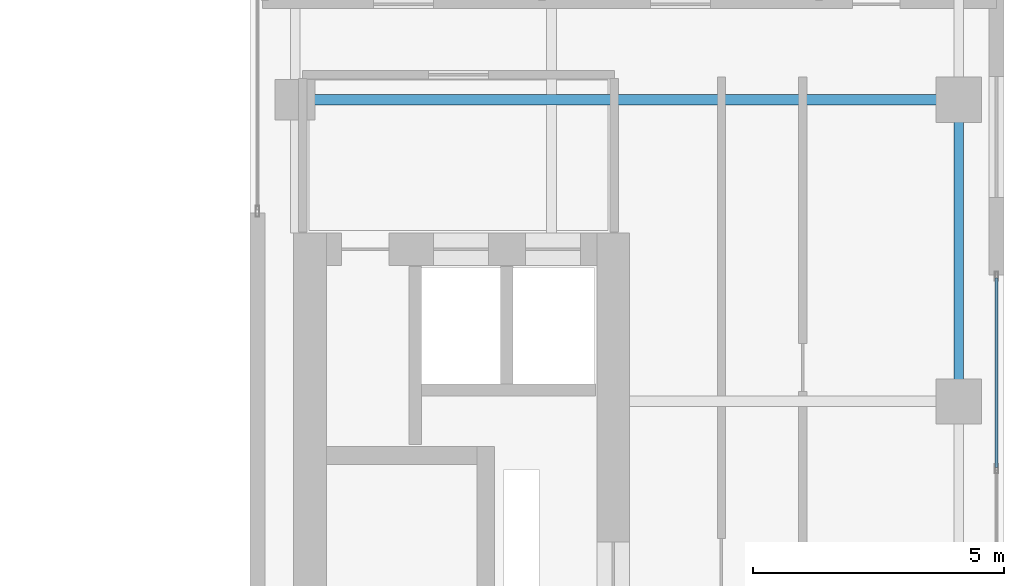
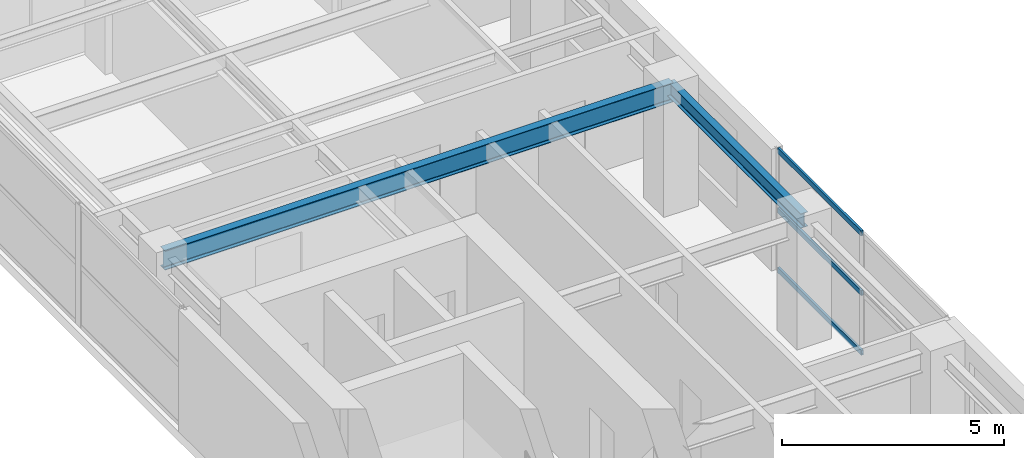
# One storey, part 11 of 22: 3 members, 2 beams, 1 element without a shape of its own.
"""IFC4 building model written with IfcOpenShell, lengths in metres."""

from ifc_helpers import new_model, si_unit, direction, frame, origin, origin_2d, place, context, subcontext, project, spatial, hollow_rectangle, i_section, extrude, source, transform, mapped, material, layer, layer_set, material_profile, profile_set, type_object, element, aggregate, save


model = new_model("IFC4")

# Units and contexts
model_context = context("Model", 3, precision=1e-05, world=origin(), true_north=direction((0.0, 1.0)))
body_context = subcontext(model_context, "Body", "Model", "MODEL_VIEW")
ifc_project = project(units=[si_unit("LENGTHUNIT", "METRE"), si_unit("AREAUNIT", "SQUARE_METRE"), si_unit("VOLUMEUNIT", "CUBIC_METRE"), si_unit("PLANEANGLEUNIT", "RADIAN"), si_unit("MASSUNIT", "GRAM", prefix="KILO")], contexts=[model_context])

# Site, building, storey
site_placement = place(None, origin())
site = spatial("IfcSite", under=ifc_project, at=site_placement, CompositionType="ELEMENT")
building_placement = place(site_placement, origin())
building = spatial("IfcBuilding", under=site, at=building_placement, Name="Khoralis Quay Care Tower", CompositionType="ELEMENT")
storey_placement = place(building_placement, frame((0.0, 0.0, 184.5)))
storey = spatial("IfcBuildingStorey", under=building, at=storey_placement, Name="L48", CompositionType="ELEMENT", Elevation=184.5)

# Beams
ifc_material_1 = material(Name="Steel S355", Category="steel")
ifc_material_profile_1 = material_profile(ifc_material_1, i_section(OverallWidth=0.179931640625, OverallDepth=0.39990234375, WebThickness=0.008544921875, FlangeThickness=0.013427734375, FilletRadius=0.02099609375, at=origin_2d()), Name="Steel S355")
ifc_profile_set_1 = profile_set([ifc_material_profile_1], Name="Steel S355")
beam_type_1 = type_object("IfcBeamType", Name="BM-IPE400", PredefinedType="SPANDREL", material=ifc_profile_set_1)
shared_shape_1 = source(origin(), body_context, "Body", "SweptSolid", [
    extrude(i_section(OverallWidth=0.179931640625, OverallDepth=0.39990234375, WebThickness=0.008544921875, FlangeThickness=0.013427734375, FilletRadius=0.02099609375, at=origin_2d()), origin(), (0.0, 0.0, 1.0), 6.0),
])
beam_1_placement = place(storey_placement, frame((44.10009765625, 24.0, 3.139892578125), z_axis=(0.0, 1.0, 0.0), x_axis=(-1.0, 0.0, 0.0)))
element("IfcBeam", 1, at=beam_1_placement, inside=storey, type_object=beam_type_1, Name="BM-TSP-L48-13", PredefinedType="SPANDREL", context=body_context, shape_type="MappedRepresentation", body=[
    mapped(shared_shape_1, transform((0.0, 0.0, 0.0), scale=1.0)),
])
ifc_material_profile_2 = material_profile(ifc_material_1, i_section(OverallWidth=0.208984375, OverallDepth=0.532958984375, WebThickness=0.01025390625, FlangeThickness=0.015625, FilletRadius=0.01611328125, at=origin_2d()), Name="Steel S355")
ifc_profile_set_2 = profile_set([ifc_material_profile_2], Name="Steel S355")
beam_type_2 = type_object("IfcBeamType", Name="BM-W530X92", PredefinedType="BEAM", material=ifc_profile_set_2)
shared_shape_2 = source(origin(), body_context, "Body", "SweptSolid", [
    extrude(i_section(OverallWidth=0.208984375, OverallDepth=0.532958984375, WebThickness=0.01025390625, FlangeThickness=0.015625, FilletRadius=0.01611328125, at=origin_2d()), origin(), (0.0, 0.0, 1.0), 13.2001953125),
])
beam_2_placement = place(storey_placement, frame((30.89990234375, 30.0, 3.073486328125), z_axis=(1.0, 0.0, 0.0), x_axis=(0.0, 1.0, 0.0)))
element("IfcBeam", 2, at=beam_2_placement, inside=storey, type_object=beam_type_2, Name="BM-TGXE-L48-300", PredefinedType="BEAM", context=body_context, shape_type="MappedRepresentation", body=[
    mapped(shared_shape_2, transform((0.0, 0.0, 0.0), scale=1.0)),
])

# Curtain wall, members
ifc_material_2 = material(Name="Pale anodised aluminium", Category="aluminium")
ifc_layer = layer(ifc_material_2, 0.159912109375)
ifc_layer_set = layer_set([ifc_layer], Name="Pale anodised aluminium")
curtain_wall_type = type_object("IfcCurtainWallType", Name="CW-SYS-Z3", PredefinedType="NOTDEFINED", material=ifc_layer_set)
curtain_wall_placement = place(storey_placement, origin())
curtain_wall = element("IfcCurtainWall", 3, at=curtain_wall_placement, inside=storey, type_object=curtain_wall_type, Name="L48 Unitised Curtain Wall CW-L48-P2-E5", PredefinedType="NOTDEFINED")
ifc_material_profile_3 = material_profile(ifc_material_2, hollow_rectangle(XDim=0.06005859375, YDim=0.139892578125, WallThickness=0.00390625, at=origin_2d()), Name="Pale anodised aluminium")
ifc_profile_set_3 = profile_set([ifc_material_profile_3], Name="Pale anodised aluminium")
member_type = type_object("IfcMemberType", Name="CW-TRN-140", PredefinedType="USERDEFINED", material=ifc_profile_set_3)
shared_shape_3 = source(origin(), body_context, "Body", "SweptSolid", [
    extrude(hollow_rectangle(XDim=0.06005859375, YDim=0.139892578125, WallThickness=0.00390625, at=origin_2d()), origin(), (0.0, 0.0, 1.0), 3.77001953125),
])
member_1_placement = place(storey_placement, frame((44.85009765625, 22.68994140625, 0.030029296875), z_axis=(0.0, 1.0, 0.0), x_axis=(-1.0, 0.0, 0.0)))
member_1 = element("IfcMember", 4, at=member_1_placement, type_object=member_type, Name="CW3 transom 2.1", ObjectType="TRANSOM", PredefinedType="USERDEFINED", context=body_context, shape_type="MappedRepresentation", body=[
    mapped(shared_shape_3, transform((0.0, 0.0, 0.0), scale=1.0)),
])
member_2_placement = place(storey_placement, frame((44.85009765625, 22.68994140625, 1.669921875), z_axis=(0.0, 1.0, 0.0), x_axis=(-1.0, 0.0, 0.0)))
member_2 = element("IfcMember", 5, at=member_2_placement, type_object=member_type, Name="CW3 transom 2.2", ObjectType="TRANSOM", PredefinedType="USERDEFINED", context=body_context, shape_type="MappedRepresentation", body=[
    mapped(shared_shape_3, transform((0.0, 0.0, 0.0), scale=1.0)),
])
member_3_placement = place(storey_placement, frame((44.85009765625, 22.68994140625, 3.31005859375), z_axis=(0.0, 1.0, 0.0), x_axis=(-1.0, 0.0, 0.0)))
member_3 = element("IfcMember", 6, at=member_3_placement, type_object=member_type, Name="CW3 transom 2.3", ObjectType="TRANSOM", PredefinedType="USERDEFINED", context=body_context, shape_type="MappedRepresentation", body=[
    mapped(shared_shape_3, transform((0.0, 0.0, 0.0), scale=1.0)),
])
aggregate(curtain_wall, [member_1, member_2, member_3])

save(model, "model.ifc")
